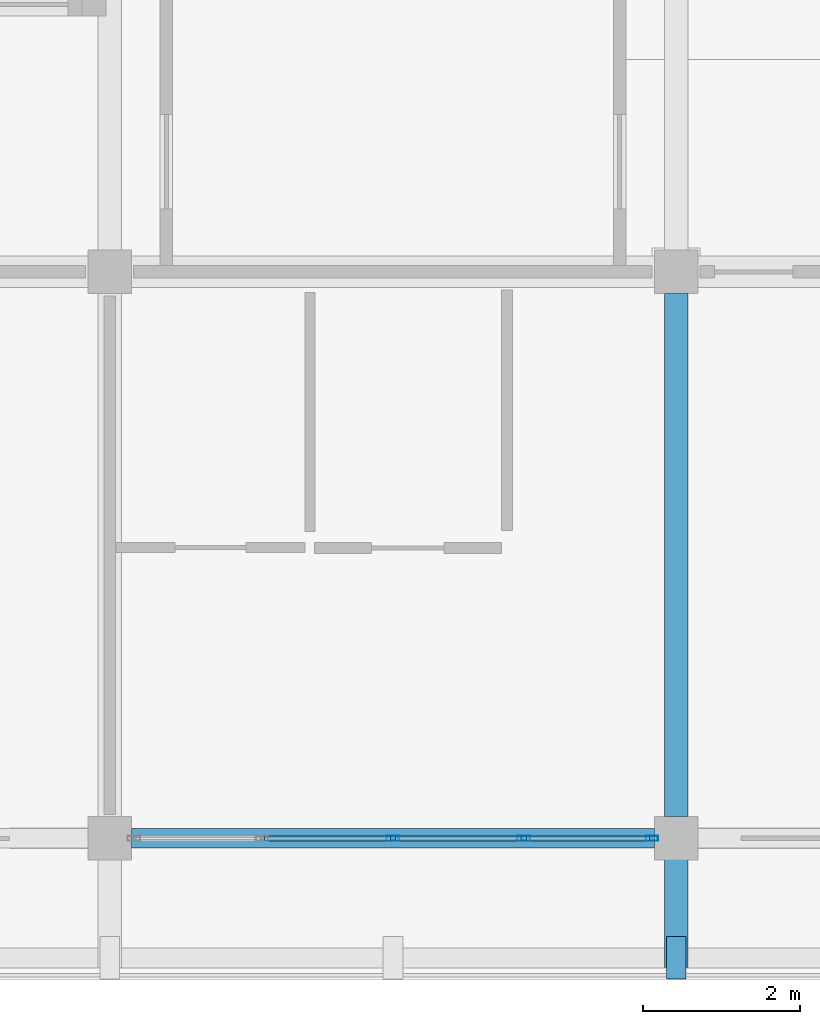
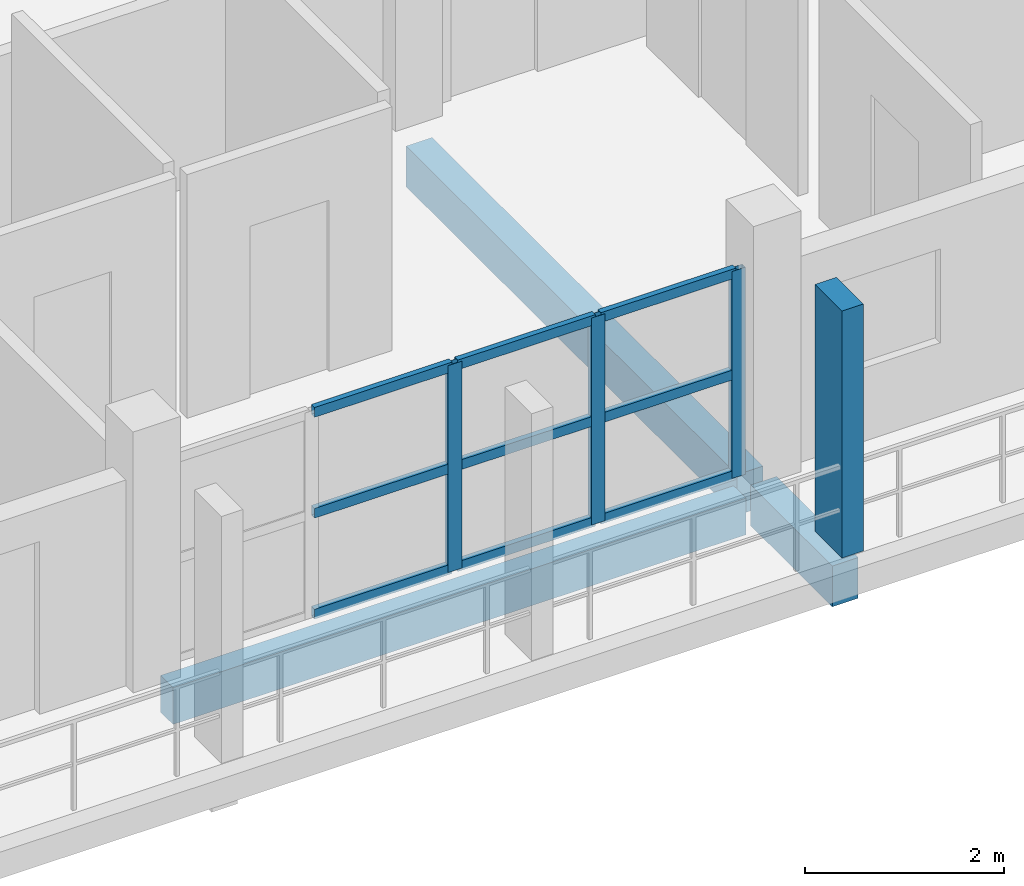
# One storey, part 22 of 67: 13 members, 3 beams, 1 element without a shape of its own.
"""IFC4 building model written with IfcOpenShell, lengths in metres."""

import ifcopenshell
import ifcopenshell.guid

model = None  # the IFC model being written
_history = None  # IfcOwnerHistory: only IFC2X3 demands one
_inside = {}  # id of a spatial element -> (the spatial element, [elements in it])
_under = {}  # id of a project, library or spatial element -> (it, [spatial elements below it])
_declared = {}  # id of a project -> (the project, [libraries it declares])
_typed = {}  # id of a type object -> (the type object, [elements of that type])
_made_of = {}  # id of a material, layer set ... -> (it, [elements and type objects made of it])


def new_model(schema):
    """Start an empty IFC model of exactly this schema.

    Asked for "IFC4X3", IfcOpenShell would pick the latest addendum, in which some entities
    have other attributes; the version numbers below select the first issue.
    IFC2X3 requires an IfcOwnerHistory on every rooted entity: one is made here for all.
    """
    global model, _history
    if schema == "IFC4X3":
        model = ifcopenshell.file(schema_version=(4, 3, 0, 0))
    else:
        model = ifcopenshell.file(schema=schema)
    _inside.clear()
    _under.clear()
    _declared.clear()
    _typed.clear()
    _made_of.clear()
    _history = None
    if model.schema == "IFC2X3":
        org = make("IfcOrganization", Name="unknown")
        user = make(
            "IfcPersonAndOrganization",
            ThePerson=make("IfcPerson", FamilyName="unknown"),
            TheOrganization=org,
        )
        app = make(
            "IfcApplication",
            ApplicationDeveloper=org,
            Version="unknown",
            ApplicationFullName="unknown",
            ApplicationIdentifier="unknown",
        )
        _history = make(
            "IfcOwnerHistory",
            OwningUser=user,
            OwningApplication=app,
            ChangeAction="ADDED",
            CreationDate=0,
        )
    return model


def make(cls, **values):
    """One entity of the class cls with the attributes given. An attribute that is None is left unset."""
    return model.create_entity(
        cls, **{name: value for name, value in values.items() if value is not None}
    )


def rooted(cls, **values):
    """An entity with a GlobalId (a new one), such as an element, a storey or a relation."""
    return make(cls, GlobalId=ifcopenshell.guid.new(), OwnerHistory=_history, **values)


def si_unit(unit_type, name, prefix=None):
    """IfcSIUnit, for example si_unit("LENGTHUNIT", "METRE", prefix="MILLI")."""
    return make("IfcSIUnit", UnitType=unit_type, Prefix=prefix, Name=name)


def assignment(units):
    """IfcUnitAssignment: the units of a project."""
    return None if units is None else make("IfcUnitAssignment", Units=units)


def point(xyz):
    """IfcCartesianPoint."""
    return None if xyz is None else make("IfcCartesianPoint", Coordinates=xyz)


def direction(xyz):
    """IfcDirection."""
    return None if xyz is None else make("IfcDirection", DirectionRatios=xyz)


def frame(location, z_axis=None, x_axis=None):
    """IfcAxis2Placement3D, a coordinate frame: its origin and axes. An axis left out is left unset."""
    return make(
        "IfcAxis2Placement3D",
        Location=point(location),
        Axis=direction(z_axis),
        RefDirection=direction(x_axis),
    )


def frame_2d(location, x_axis=None):
    """IfcAxis2Placement2D, a coordinate frame in the plane: its origin and x axis."""
    return make(
        "IfcAxis2Placement2D", Location=point(location), RefDirection=direction(x_axis)
    )


def origin():
    """The frame at (0, 0, 0) with its axes left unset."""
    return frame((0.0, 0.0, 0.0))


def origin_2d():
    """The frame at (0, 0) in the plane with its x axis left unset."""
    return frame_2d((0.0, 0.0))


def place(relative_to, where):
    """IfcLocalPlacement: puts the frame where relative to a parent placement (None: the world)."""
    return make(
        "IfcLocalPlacement", PlacementRelTo=relative_to, RelativePlacement=where
    )


def context(
    kind, dimensions, precision=None, world=None, true_north=None, identifier=None
):
    """IfcGeometricRepresentationContext, for example the 3D "Model" context."""
    return make(
        "IfcGeometricRepresentationContext",
        ContextIdentifier=identifier,
        ContextType=kind,
        CoordinateSpaceDimension=dimensions,
        Precision=precision,
        WorldCoordinateSystem=world,
        TrueNorth=true_north,
    )


def subcontext(parent, identifier, kind, view, scale=None):
    """IfcGeometricRepresentationSubContext, for example "Body" below "Model"."""
    return make(
        "IfcGeometricRepresentationSubContext",
        ContextIdentifier=identifier,
        ContextType=kind,
        ParentContext=parent,
        TargetScale=scale,
        TargetView=view,
    )


def project(units=None, contexts=None):
    """IfcProject with its units and contexts."""
    return rooted(
        "IfcProject",
        Name="project",
        RepresentationContexts=contexts,
        UnitsInContext=assignment(units),
    )


def spatial(cls, under=None, at=None, **own):
    """A site, building, storey or space (cls), placed at a placement, below another one or the project."""
    s = rooted(cls, ObjectPlacement=at, **own)
    if under is not None:
        _under.setdefault(under.id(), (under, []))[1].append(s)
    return s


def profile(cls, at=None, kind="AREA", **sizes):
    """A parametric profile (cls). Its sizes go by their IFC names, for example OverallWidth=200.0."""
    return make(cls, ProfileType=kind, Position=at, **sizes)


def rectangle(**sizes):
    """IfcRectangleProfileDef."""
    return profile("IfcRectangleProfileDef", **sizes)


def hollow_rectangle(**sizes):
    """IfcRectangleHollowProfileDef."""
    return profile("IfcRectangleHollowProfileDef", **sizes)


def extrude(swept, where, along, depth):
    """IfcExtrudedAreaSolid: the profile swept, set in the frame where, extruded along a direction by depth."""
    return make(
        "IfcExtrudedAreaSolid",
        SweptArea=swept,
        Position=where,
        ExtrudedDirection=direction(along),
        Depth=depth,
    )


def shape(context_of_items, identifier, shape_type, items):
    """IfcShapeRepresentation: the items that make up one representation, for example the "Body"."""
    return make(
        "IfcShapeRepresentation",
        ContextOfItems=context_of_items,
        RepresentationIdentifier=identifier,
        RepresentationType=shape_type,
        Items=items,
    )


def material(Name=None, Category=None):
    """IfcMaterial."""
    return make("IfcMaterial", Name=Name, Category=Category)


def material_profile(
    of_material, cross_section, Name=None, Category=None, Priority=None
):
    """IfcMaterialProfile: a cross section and its material."""
    return make(
        "IfcMaterialProfile",
        Name=Name,
        Material=of_material,
        Profile=cross_section,
        Priority=Priority,
        Category=Category,
    )


def profile_set(profiles, Name=None, composite=None):
    """IfcMaterialProfileSet."""
    return make(
        "IfcMaterialProfileSet",
        Name=Name,
        MaterialProfiles=profiles,
        CompositeProfile=composite,
    )


def made_of(thing, what):
    """Note that an element or type object is made of a material, layer set ...; save() writes the relation."""
    if what is not None:
        _made_of.setdefault(what.id(), (what, []))[1].append(thing)
    return thing


def type_object(cls, material=None, **own):
    """A type object (cls), such as IfcWallType, which elements share."""
    return made_of(rooted(cls, **own), material)


def element(
    cls,
    number,
    at=None,
    inside=None,
    cuts=None,
    type_object=None,
    material=None,
    context=None,
    identifier="Body",
    shape_type=None,
    held_by="IfcProductDefinitionShape",
    body=None,
    shapes=None,
    **own,
):
    """One element of the class cls, such as IfcWall. Its Tag is "e" and its number.

    at: its placement. inside: the storey or other place that contains it. cuts: it is an
    opening in that element (IfcRelVoidsElement). A single representation is given by context,
    identifier, shape_type and body (its items); several are given by shapes. held_by: the class
    of the entity that holds the representations. save() writes the other relations.
    """
    e = rooted(cls, Tag="e%d" % number, ObjectPlacement=at, **own)
    if body is not None:
        shapes = [shape(context, identifier, shape_type, body)]
    if shapes is not None:
        e.Representation = make(held_by, Representations=shapes)
    if inside is not None:
        _inside.setdefault(inside.id(), (inside, []))[1].append(e)
    if cuts is not None:
        rooted(
            "IfcRelVoidsElement", RelatingBuildingElement=cuts, RelatedOpeningElement=e
        )
    if type_object is not None:
        _typed.setdefault(type_object.id(), (type_object, []))[1].append(e)
    return made_of(e, material)


def aggregate(whole, parts):
    """IfcRelAggregates: a whole, such as a stair, and the parts it consists of."""
    return rooted("IfcRelAggregates", RelatingObject=whole, RelatedObjects=parts)


def save(model, path):
    """Write the relations noted so far, then the file.

    IfcRelAggregates (storeys below a building ...), IfcRelContainedInSpatialStructure (elements
    in a storey), IfcRelDefinesByType, IfcRelAssociatesMaterial and IfcRelDeclares: one each for
    every whole, place, type object, material and project.
    """
    for whole, parts in _under.values():
        aggregate(whole, parts)
    for where, things in _inside.values():
        rooted(
            "IfcRelContainedInSpatialStructure",
            RelatedElements=things,
            RelatingStructure=where,
        )
    for kind, things in _typed.values():
        rooted("IfcRelDefinesByType", RelatedObjects=things, RelatingType=kind)
    for what, things in _made_of.values():
        rooted("IfcRelAssociatesMaterial", RelatedObjects=things, RelatingMaterial=what)
    for by, libraries in _declared.values():
        rooted("IfcRelDeclares", RelatingContext=by, RelatedDefinitions=libraries)
    model.write(path)


model = new_model("IFC4")

# Units and contexts
model_context = context("Model", 3, precision=1e-05, world=origin(), true_north=direction((0.0, 1.0)))
body_context = subcontext(model_context, "Body", "Model", "MODEL_VIEW")
ifc_project = project(units=[si_unit("LENGTHUNIT", "METRE"), si_unit("AREAUNIT", "SQUARE_METRE"), si_unit("VOLUMEUNIT", "CUBIC_METRE"), si_unit("PLANEANGLEUNIT", "RADIAN"), si_unit("MASSUNIT", "GRAM", prefix="KILO")], contexts=[model_context])

# Site, building, storey
site_placement = place(None, origin())
site = spatial("IfcSite", under=ifc_project, at=site_placement, CompositionType="ELEMENT")
building_placement = place(site_placement, origin())
building = spatial("IfcBuilding", under=site, at=building_placement, Name="Suanplinth Sawtooth Commons", CompositionType="ELEMENT")
storey_placement = place(building_placement, frame((0.0, 0.0, 25.10009765625)))
storey = spatial("IfcBuildingStorey", under=building, at=storey_placement, Name="L07", CompositionType="ELEMENT", Elevation=25.10009765625)

# Beams
ifc_material_1 = material(Name="Precast concrete C40/50", Category="concrete")
ifc_material_profile_1 = material_profile(ifc_material_1, rectangle(XDim=0.300048828125, YDim=0.5, at=origin_2d()), Name="PC-BM 300x500")
ifc_profile_set_1 = profile_set([ifc_material_profile_1], Name="Precast concrete C40/50")
beam_type_1 = type_object("IfcBeamType", Name="B-07", PredefinedType="BEAM", material=ifc_profile_set_1)
beam_1_placement = place(storey_placement, frame((172.800048828125, 0.27490234375, -0.47021484375), z_axis=(0.0, 1.0, 0.0), x_axis=(-1.0, 0.0, 0.0)))
element("IfcBeam", 1, at=beam_1_placement, inside=storey, type_object=beam_type_1, Name="BMY-L07-C-24-0", PredefinedType="BEAM", context=body_context, shape_type="SweptSolid", body=[
    extrude(rectangle(XDim=0.300048828125, YDim=0.5, at=origin_2d()), origin(), (0.0, 0.0, 1.0), 6.650146484375),
])
beam_2_placement = place(storey_placement, frame((172.800048828125, 0.0, -0.43017578125), z_axis=(0.0, -1.0, 0.0), x_axis=(1.0, 0.0, 0.0)))
element("IfcBeam", 2, at=beam_2_placement, inside=storey, type_object=beam_type_1, Name="Balcony Outrigger L07-C-S-24", PredefinedType="BEAM", context=body_context, shape_type="SweptSolid", body=[
    extrude(rectangle(XDim=0.300048828125, YDim=0.5, at=origin_2d()), origin(), (0.0, 0.0, 1.0), 1.639892578125),
])
ifc_material_profile_2 = material_profile(ifc_material_1, rectangle(XDim=0.25, YDim=0.449951171875, at=origin_2d()), Name="PC-SP 250x450")
ifc_profile_set_2 = profile_set([ifc_material_profile_2], Name="Precast concrete C40/50")
beam_type_2 = type_object("IfcBeamType", Name="B-09", PredefinedType="SPANDREL", material=ifc_profile_set_2)
beam_3_placement = place(storey_placement, frame((165.875, 0.0, -0.445068359375), z_axis=(1.0, 0.0, 0.0), x_axis=(0.0, 1.0, 0.0)))
element("IfcBeam", 3, at=beam_3_placement, inside=storey, type_object=beam_type_2, Name="BMX-L07-C-23-0", PredefinedType="SPANDREL", context=body_context, shape_type="SweptSolid", body=[
    extrude(rectangle(XDim=0.25, YDim=0.449951171875, at=origin_2d()), origin(), (0.0, 0.0, 1.0), 6.64990234375),
])

# Member
ifc_material_2 = material(Name="Pigmented precast concrete C40/50", Category="concrete")
ifc_material_profile_3 = material_profile(ifc_material_2, rectangle(XDim=0.25, YDim=0.5400390625, at=origin_2d()), Name="PC-FIN 250x540")
ifc_profile_set_3 = profile_set([ifc_material_profile_3], Name="Pigmented precast concrete C40/50")
member_type_1 = type_object("IfcMemberType", Name="M-11", PredefinedType="USERDEFINED", material=ifc_profile_set_3)
member_1_placement = place(storey_placement, frame((172.800048828125, -1.52001953125, 0.0), z_axis=(0.0, 0.0, 1.0), x_axis=(1.0, 0.0, 0.0)))
element("IfcMember", 4, at=member_1_placement, inside=storey, type_object=member_type_1, Name="Upright Solar Blade L07-C-S-06", ObjectType="SHADING FIN", PredefinedType="USERDEFINED", context=body_context, shape_type="SweptSolid", body=[
    extrude(rectangle(XDim=0.25, YDim=0.5400390625, at=origin_2d()), origin(), (0.0, 0.0, 1.0), 3.02978515625),
])

# Curtain wall, members
ifc_material_3 = material(Name="Anodized aluminium and low-E glazing", Category="aluminium")
curtain_wall_type = type_object("IfcCurtainWallType", Name="CW-06", PredefinedType="USERDEFINED", material=ifc_material_3)
curtain_wall_placement = place(storey_placement, origin())
curtain_wall = element("IfcCurtainWall", 5, at=curtain_wall_placement, inside=storey, type_object=curtain_wall_type, Name="Curtain Wall CW-L07-C-LOUNGE-23", ObjectType="CURTAIN WALL", PredefinedType="USERDEFINED")
ifc_material_4 = material(Name="Anodized aluminium 6063-T6", Category="aluminium")
ifc_material_profile_4 = material_profile(ifc_material_4, hollow_rectangle(XDim=0.06494140625, YDim=0.159912109375, WallThickness=0.00390625, at=origin_2d()), Name="ALU-MUL 65x160")
ifc_profile_set_4 = profile_set([ifc_material_profile_4], Name="Anodized aluminium 6063-T6")
member_type_2 = type_object("IfcMemberType", Name="M-13", PredefinedType="MULLION", material=ifc_profile_set_4)
member_2_placement = place(storey_placement, frame((169.199951171875, 0.0, 0.0), z_axis=(0.0, 0.0, 1.0), x_axis=(0.0, 1.0, 0.0)))
member_2 = element("IfcMember", 6, at=member_2_placement, type_object=member_type_2, Name="CW-06 mullion 3", PredefinedType="MULLION", context=body_context, shape_type="SweptSolid", body=[
    extrude(hollow_rectangle(XDim=0.06494140625, YDim=0.159912109375, WallThickness=0.00390625, at=origin_2d()), origin(), (0.0, 0.0, 1.0), 2.539794921875),
])
member_3_placement = place(storey_placement, frame((170.862548828125, 0.0, 0.0), z_axis=(0.0, 0.0, 1.0), x_axis=(0.0, 1.0, 0.0)))
member_3 = element("IfcMember", 7, at=member_3_placement, type_object=member_type_2, Name="CW-06 mullion 4", PredefinedType="MULLION", context=body_context, shape_type="SweptSolid", body=[
    extrude(hollow_rectangle(XDim=0.06494140625, YDim=0.159912109375, WallThickness=0.00390625, at=origin_2d()), origin(), (0.0, 0.0, 1.0), 2.539794921875),
])
member_4_placement = place(storey_placement, frame((172.492431640625, 0.0, 0.0), z_axis=(0.0, 0.0, 1.0), x_axis=(0.0, 1.0, 0.0)))
member_4 = element("IfcMember", 8, at=member_4_placement, type_object=member_type_2, Name="CW-06 mullion 5", PredefinedType="MULLION", context=body_context, shape_type="SweptSolid", body=[
    extrude(hollow_rectangle(XDim=0.06494140625, YDim=0.159912109375, WallThickness=0.00390625, at=origin_2d()), origin(), (0.0, 0.0, 1.0), 2.539794921875),
])
ifc_material_profile_5 = material_profile(ifc_material_4, hollow_rectangle(XDim=0.06494140625, YDim=0.1201171875, WallThickness=0.00390625, at=origin_2d()), Name="ALU-TRN 65x120")
ifc_profile_set_5 = profile_set([ifc_material_profile_5], Name="Anodized aluminium 6063-T6")
member_type_3 = type_object("IfcMemberType", Name="M-15", PredefinedType="USERDEFINED", material=ifc_profile_set_5)
member_5_placement = place(storey_placement, frame((167.570068359375, 0.0, 0.032470703125), z_axis=(1.0, 0.0, 0.0), x_axis=(0.0, 1.0, 0.0)))
member_5 = element("IfcMember", 9, at=member_5_placement, type_object=member_type_3, Name="CW-06 transom 2.1", ObjectType="TRANSOM", PredefinedType="USERDEFINED", context=body_context, shape_type="SweptSolid", body=[
    extrude(hollow_rectangle(XDim=0.06494140625, YDim=0.1201171875, WallThickness=0.00390625, at=origin_2d()), origin(), (0.0, 0.0, 1.0), 1.597412109375),
])
member_6_placement = place(storey_placement, frame((167.570068359375, 0.0, 1.27001953125), z_axis=(1.0, 0.0, 0.0), x_axis=(0.0, 1.0, 0.0)))
member_6 = element("IfcMember", 10, at=member_6_placement, type_object=member_type_3, Name="CW-06 transom 2.2", ObjectType="TRANSOM", PredefinedType="USERDEFINED", context=body_context, shape_type="SweptSolid", body=[
    extrude(hollow_rectangle(XDim=0.06494140625, YDim=0.1201171875, WallThickness=0.00390625, at=origin_2d()), origin(), (0.0, 0.0, 1.0), 1.597412109375),
])
member_7_placement = place(storey_placement, frame((167.570068359375, 0.0, 2.50732421875), z_axis=(1.0, 0.0, 0.0), x_axis=(0.0, 1.0, 0.0)))
member_7 = element("IfcMember", 11, at=member_7_placement, type_object=member_type_3, Name="CW-06 transom 2.3", ObjectType="TRANSOM", PredefinedType="USERDEFINED", context=body_context, shape_type="SweptSolid", body=[
    extrude(hollow_rectangle(XDim=0.06494140625, YDim=0.1201171875, WallThickness=0.00390625, at=origin_2d()), origin(), (0.0, 0.0, 1.0), 1.597412109375),
])
member_8_placement = place(storey_placement, frame((169.232421875, 0.0, 0.032470703125), z_axis=(1.0, 0.0, 0.0), x_axis=(0.0, 1.0, 0.0)))
member_8 = element("IfcMember", 12, at=member_8_placement, type_object=member_type_3, Name="CW-06 transom 3.1", ObjectType="TRANSOM", PredefinedType="USERDEFINED", context=body_context, shape_type="SweptSolid", body=[
    extrude(hollow_rectangle(XDim=0.06494140625, YDim=0.1201171875, WallThickness=0.00390625, at=origin_2d()), origin(), (0.0, 0.0, 1.0), 1.59765625),
])
member_9_placement = place(storey_placement, frame((169.232421875, 0.0, 1.27001953125), z_axis=(1.0, 0.0, 0.0), x_axis=(0.0, 1.0, 0.0)))
member_9 = element("IfcMember", 13, at=member_9_placement, type_object=member_type_3, Name="CW-06 transom 3.2", ObjectType="TRANSOM", PredefinedType="USERDEFINED", context=body_context, shape_type="SweptSolid", body=[
    extrude(hollow_rectangle(XDim=0.06494140625, YDim=0.1201171875, WallThickness=0.00390625, at=origin_2d()), origin(), (0.0, 0.0, 1.0), 1.59765625),
])
member_10_placement = place(storey_placement, frame((169.232421875, 0.0, 2.50732421875), z_axis=(1.0, 0.0, 0.0), x_axis=(0.0, 1.0, 0.0)))
member_10 = element("IfcMember", 14, at=member_10_placement, type_object=member_type_3, Name="CW-06 transom 3.3", ObjectType="TRANSOM", PredefinedType="USERDEFINED", context=body_context, shape_type="SweptSolid", body=[
    extrude(hollow_rectangle(XDim=0.06494140625, YDim=0.1201171875, WallThickness=0.00390625, at=origin_2d()), origin(), (0.0, 0.0, 1.0), 1.59765625),
])
member_11_placement = place(storey_placement, frame((170.89501953125, 0.0, 0.032470703125), z_axis=(1.0, 0.0, 0.0), x_axis=(0.0, 1.0, 0.0)))
member_11 = element("IfcMember", 15, at=member_11_placement, type_object=member_type_3, Name="CW-06 transom 4.1", ObjectType="TRANSOM", PredefinedType="USERDEFINED", context=body_context, shape_type="SweptSolid", body=[
    extrude(hollow_rectangle(XDim=0.06494140625, YDim=0.1201171875, WallThickness=0.00390625, at=origin_2d()), origin(), (0.0, 0.0, 1.0), 1.56494140625),
])
member_12_placement = place(storey_placement, frame((170.89501953125, 0.0, 1.27001953125), z_axis=(1.0, 0.0, 0.0), x_axis=(0.0, 1.0, 0.0)))
member_12 = element("IfcMember", 16, at=member_12_placement, type_object=member_type_3, Name="CW-06 transom 4.2", ObjectType="TRANSOM", PredefinedType="USERDEFINED", context=body_context, shape_type="SweptSolid", body=[
    extrude(hollow_rectangle(XDim=0.06494140625, YDim=0.1201171875, WallThickness=0.00390625, at=origin_2d()), origin(), (0.0, 0.0, 1.0), 1.56494140625),
])
member_13_placement = place(storey_placement, frame((170.89501953125, 0.0, 2.50732421875), z_axis=(1.0, 0.0, 0.0), x_axis=(0.0, 1.0, 0.0)))
member_13 = element("IfcMember", 17, at=member_13_placement, type_object=member_type_3, Name="CW-06 transom 4.3", ObjectType="TRANSOM", PredefinedType="USERDEFINED", context=body_context, shape_type="SweptSolid", body=[
    extrude(hollow_rectangle(XDim=0.06494140625, YDim=0.1201171875, WallThickness=0.00390625, at=origin_2d()), origin(), (0.0, 0.0, 1.0), 1.56494140625),
])
aggregate(curtain_wall, [member_2, member_3, member_4, member_5, member_6, member_7, member_8, member_9, member_10, member_11, member_12, member_13])

save(model, "model.ifc")
